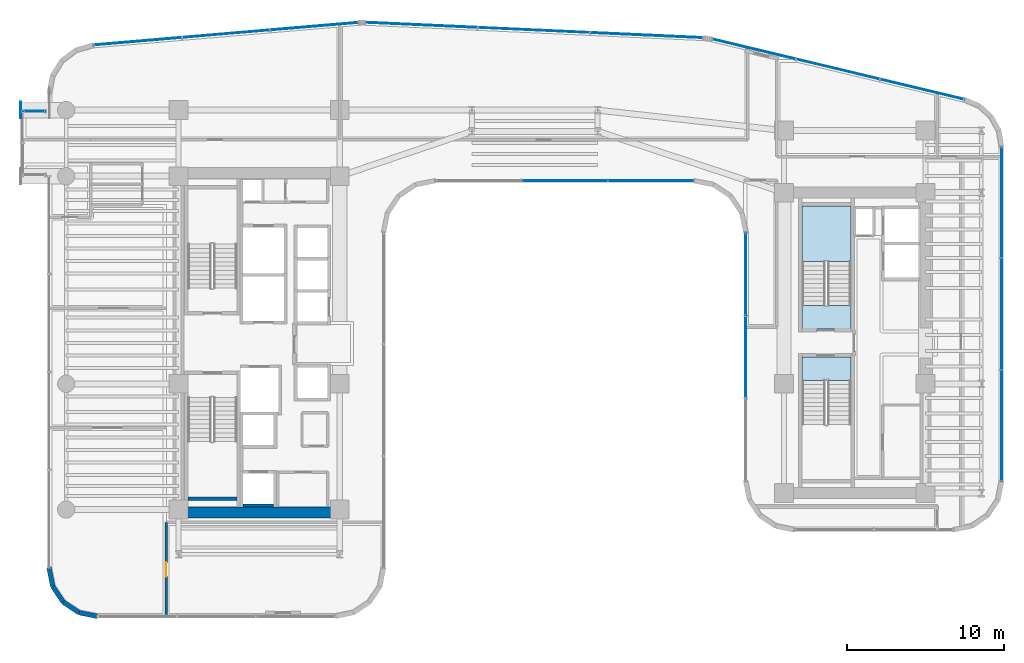
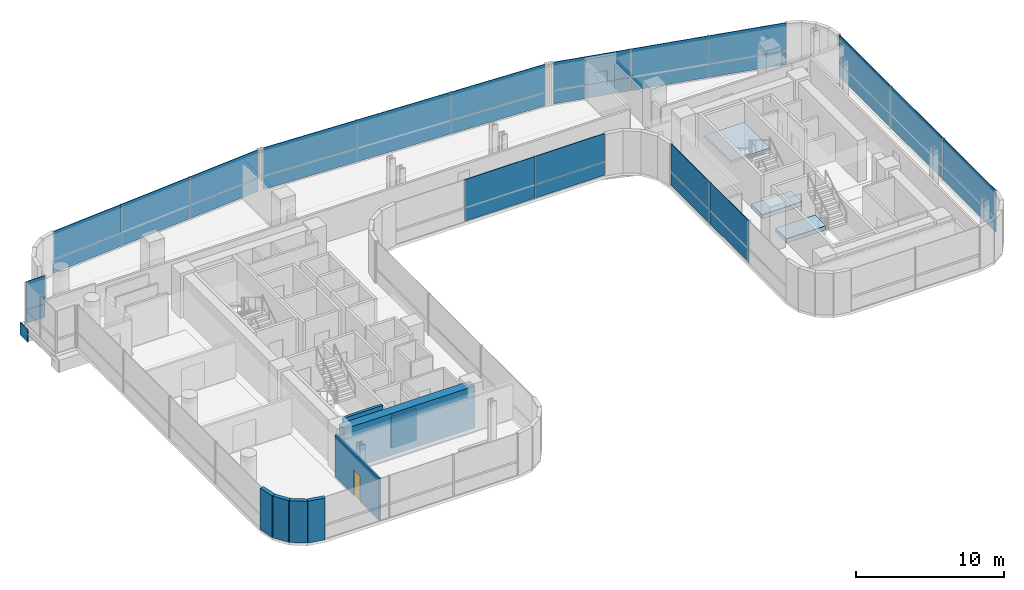
# One storey, part 26 of 34: 29 plates, 8 walls, 3 slabs, 1 door, 1 opening, 8 elements without a shape of their own.
"""IFC4 building model written with IfcOpenShell, lengths in metres."""

from ifc_helpers import new_model, si_unit, direction, frame, frame_2d, origin, origin_2d, place, context, subcontext, project, spatial, polyline, rectangle, outline, extrude, source, transform, mapped, material, layer, layer_set, type_object, element, fill, aggregate, save


model = new_model("IFC4")

# Units and contexts
model_context = context("Model", 3, precision=1e-05, world=origin(), true_north=direction((0.0, 1.0)))
body_context = subcontext(model_context, "Body", "Model", "MODEL_VIEW")
ifc_project = project(units=[si_unit("LENGTHUNIT", "METRE"), si_unit("AREAUNIT", "SQUARE_METRE"), si_unit("VOLUMEUNIT", "CUBIC_METRE"), si_unit("PLANEANGLEUNIT", "RADIAN"), si_unit("MASSUNIT", "GRAM", prefix="KILO")], contexts=[model_context])

# Site, building, storey
site_placement = place(None, origin())
site = spatial("IfcSite", under=ifc_project, at=site_placement, CompositionType="ELEMENT")
building_placement = place(site_placement, origin())
building = spatial("IfcBuilding", under=site, at=building_placement, Name="Valdorenza Pilgrim Sanctuary Tower", CompositionType="ELEMENT")
storey_placement = place(building_placement, frame((0.0, 0.0, 120.5)))
storey = spatial("IfcBuildingStorey", under=building, at=storey_placement, Name="L30", CompositionType="ELEMENT", Elevation=120.5)

# Stair, slab
ifc_material_1 = material(Name="Concrete C40/50", Category="concrete")
stair_type = type_object("IfcStairType", Name="STR-DOG-CORE", PredefinedType="HALF_TURN_STAIR", material=ifc_material_1)
stair_placement = place(storey_placement, origin())
stair = element("IfcStair", 1, at=stair_placement, inside=storey, type_object=stair_type, Name="L30 ST-B1", PredefinedType="HALF_TURN_STAIR")
ifc_layer_1 = layer(ifc_material_1, 0.199951171875, Name="Concrete C40/50")
ifc_layer_set_1 = layer_set([ifc_layer_1], Name="Concrete C40/50")
slab_type_1 = type_object("IfcSlabType", Name="SLAB-STL-200", PredefinedType="LANDING", material=ifc_layer_set_1)
slab_1_placement = place(storey_placement, frame((0.0, 0.0, 1.64990234375)))
slab_1 = element("IfcSlab", 2, at=slab_1_placement, type_object=slab_type_1, Name="ST-B1 landing 1", PredefinedType="LANDING", context=body_context, shape_type="SweptSolid", body=[
    extrude(outline(polyline([(20.110107421875, 5.179931640625), (20.110107421875, 8.699951171875), (17.0, 8.699951171875), (17.0, 5.179931640625), (20.110107421875, 5.179931640625)])), origin(), (0.0, 0.0, 1.0), 0.2001953125),
])
aggregate(stair, [slab_1])

# Slabs
ifc_material_2 = material(Name="Concrete C50/60", Category="concrete")
ifc_layer_2 = layer(ifc_material_2, 0.39990234375, Name="Concrete C50/60")
ifc_layer_set_2 = layer_set([ifc_layer_2], Name="Concrete C50/60")
slab_type_2 = type_object("IfcSlabType", Name="SLAB-TRF-400", PredefinedType="FLOOR", material=ifc_layer_set_2)
slab_2_placement = place(storey_placement, frame((0.0, 0.0, -0.360107421875)))
element("IfcSlab", 3, at=slab_2_placement, inside=storey, type_object=slab_type_2, Name="L30 ST-B1 Structural Stair Landing Bearing Slab", PredefinedType="FLOOR", context=body_context, shape_type="SweptSolid", body=[
    extrude(outline(polyline([(17.0, 0.89990234375), (20.110107421875, 0.89990234375), (20.110107421875, 2.385009765625), (17.0, 2.385009765625), (17.0, 0.89990234375)])), origin(), (0.0, 0.0, 1.0), 0.360107421875),
])
slab_3_placement = place(storey_placement, frame((0.0, 0.0, -0.360107421875)))
element("IfcSlab", 4, at=slab_3_placement, inside=storey, type_object=slab_type_2, Name="L30 ST-B2 Structural Stair Landing Bearing Slab", PredefinedType="FLOOR", context=body_context, shape_type="SweptSolid", body=[
    extrude(outline(polyline([(17.0, -2.385009765625), (20.110107421875, -2.385009765625), (20.110107421875, -0.89990234375), (17.0, -0.89990234375), (17.0, -2.385009765625)])), origin(), (0.0, 0.0, 1.0), 0.360107421875),
])

# Plate
ifc_material_3 = material(Name="Steel ASTM A572 Grade 42", Category="steel")
ifc_layer_3 = layer(ifc_material_3, 0.06005859375, Name="Steel ASTM A572 Grade 42")
ifc_layer_set_3 = layer_set([ifc_layer_3], Name="Steel ASTM A572 Grade 42")
plate_type_1 = type_object("IfcPlateType", Name="PLT-CAP-60", PredefinedType="SHEET", material=ifc_layer_set_3)
shared_shape_1 = source(origin(), body_context, "Body", "SweptSolid", [
    extrude(rectangle(XDim=0.06005859375, YDim=1.0400390625, at=origin_2d()), origin(), (0.0, 0.0, 1.0), 1.0400390625),
])
plate_1_placement = place(storey_placement, frame((-32.679931640625, 14.800048828125, -1.260009765625), z_axis=(0.0, 0.0, 1.0), x_axis=(1.0, 0.0, 0.0)))
element("IfcPlate", 5, at=plate_1_placement, inside=storey, type_object=plate_type_1, Name="L30 BOX-WA-L30 Cantilever Tip End Cap N", PredefinedType="SHEET", context=body_context, shape_type="MappedRepresentation", body=[
    mapped(shared_shape_1, transform((0.0, 0.0, 0.0), x_axis=(1.0, 0.0, 0.0), y_axis=(0.0, 1.0, 0.0), z_axis=(0.0, 0.0, 1.0), scale=1.0)),
])

# Curtain wall, plates
ifc_material_4 = material(Name="Curtain-wall IGU glazing", Category="glass")
curtain_wall_type_1 = type_object("IfcCurtainWallType", Name="CW-SYS-02", PredefinedType="NOTDEFINED", material=ifc_material_4)
curtain_wall_1_placement = place(storey_placement, origin())
curtain_wall_1 = element("IfcCurtainWall", 6, at=curtain_wall_1_placement, inside=storey, type_object=curtain_wall_type_1, Name="L30 Curtain Wall CW-L30-1-36", PredefinedType="NOTDEFINED")
ifc_material_5 = material(Name="Honed travertine limestone", Category="masonry")
ifc_layer_4 = layer(ifc_material_5, 0.050048828125, Name="Honed travertine limestone")
ifc_layer_set_4 = layer_set([ifc_layer_4], Name="Honed travertine limestone")
plate_type_2 = type_object("IfcPlateType", Name="CW-SPN-TRV", PredefinedType="USERDEFINED", material=ifc_layer_set_4)
shared_shape_2 = source(origin(), body_context, "Body", "SweptSolid", [
    extrude(rectangle(XDim=5.453857421875, YDim=0.06005859375, at=origin_2d()), origin(), (0.0, 0.0, 1.0), 1.10009765625),
])
plate_2_placement = place(storey_placement, frame((7.373779296875, 10.31005859375, 0.010009765625), z_axis=(0.0, 0.0, 1.0), x_axis=(-1.0, 0.0, 0.0)))
plate_2 = element("IfcPlate", 7, at=plate_2_placement, type_object=plate_type_2, Name="CW-L30-1-36 Travertine Spandrel 1", ObjectType="SPANDREL", PredefinedType="USERDEFINED", context=body_context, shape_type="MappedRepresentation", body=[
    mapped(shared_shape_2, transform((0.0, 0.0, 0.0), x_axis=(1.0, 0.0, 0.0), y_axis=(0.0, 1.0, 0.0), z_axis=(0.0, 0.0, 1.0), scale=1.0)),
])
ifc_material_6 = material(Name="Ceramic-fritted low-E IGU glazing", Category="glass")
ifc_layer_5 = layer(ifc_material_6, 0.035888671875, Name="Ceramic-fritted low-E IGU glazing")
ifc_layer_set_5 = layer_set([ifc_layer_5], Name="Ceramic-fritted low-E IGU glazing")
plate_type_3 = type_object("IfcPlateType", Name="CW-GLZ-IGU", PredefinedType="USERDEFINED", material=ifc_layer_set_5)
shared_shape_3 = source(origin(), body_context, "Body", "SweptSolid", [
    extrude(rectangle(XDim=5.453857421875, YDim=0.050048828125, at=origin_2d()), origin(), (0.0, 0.0, 1.0), 2.320068359375),
])
plate_3_placement = place(storey_placement, frame((7.373779296875, 10.31005859375, 1.1298828125), z_axis=(0.0, 0.0, 1.0), x_axis=(-1.0, 0.0, 0.0)))
plate_3 = element("IfcPlate", 8, at=plate_3_placement, type_object=plate_type_3, Name="CW-L30-1-36 Facade Panel 1", ObjectType="GLAZING", PredefinedType="USERDEFINED", context=body_context, shape_type="MappedRepresentation", body=[
    mapped(shared_shape_3, transform((0.0, 0.0, 0.0), x_axis=(1.0, 0.0, 0.0), y_axis=(0.0, 1.0, 0.0), z_axis=(0.0, 0.0, 1.0), scale=1.0)),
])
shared_shape_4 = source(origin(), body_context, "Body", "SweptSolid", [
    extrude(rectangle(XDim=5.453857421875, YDim=0.050048828125, at=origin_2d()), origin(), (0.0, 0.0, 1.0), 3.43994140625),
])
plate_4_placement = place(storey_placement, frame((1.89990234375, 10.31005859375, 0.010009765625), z_axis=(0.0, 0.0, 1.0), x_axis=(-1.0, 0.0, 0.0)))
plate_4 = element("IfcPlate", 9, at=plate_4_placement, type_object=plate_type_3, Name="CW-L30-1-36 Full-Height Facade Panel 2", ObjectType="GLAZING", PredefinedType="USERDEFINED", context=body_context, shape_type="MappedRepresentation", body=[
    mapped(shared_shape_4, transform((0.0, 0.0, 0.0), x_axis=(1.0, 0.0, 0.0), y_axis=(0.0, 1.0, 0.0), z_axis=(0.0, 0.0, 1.0), scale=1.0)),
])
aggregate(curtain_wall_1, [plate_2, plate_3, plate_4])

curtain_wall_2_placement = place(storey_placement, origin())
curtain_wall_2 = element("IfcCurtainWall", 10, at=curtain_wall_2_placement, inside=storey, type_object=curtain_wall_type_1, Name="L30 Curtain Wall CW-L30-BOX-WA-L30-N", PredefinedType="NOTDEFINED")
shared_shape_5 = source(origin(), body_context, "Body", "SweptSolid", [
    extrude(rectangle(XDim=1.43994140625, YDim=0.06005859375, at=origin_2d()), origin(), (0.0, 0.0, 1.0), 1.10009765625),
])
plate_5_placement = place(storey_placement, frame((-31.840087890625, 14.719970703125, 0.010009765625), z_axis=(0.0, 0.0, 1.0), x_axis=(1.0, 0.0, 0.0)))
plate_5 = element("IfcPlate", 11, at=plate_5_placement, type_object=plate_type_2, Name="CW-L30-BOX-WA-L30-N Travertine Spandrel 1", ObjectType="SPANDREL", PredefinedType="USERDEFINED", context=body_context, shape_type="MappedRepresentation", body=[
    mapped(shared_shape_5, transform((0.0, 0.0, 0.0), x_axis=(1.0, 0.0, 0.0), y_axis=(0.0, 1.0, 0.0), z_axis=(0.0, 0.0, 1.0), scale=1.0)),
])
shared_shape_6 = source(origin(), body_context, "Body", "SweptSolid", [
    extrude(rectangle(XDim=1.43994140625, YDim=0.050048828125, at=origin_2d()), origin(), (0.0, 0.0, 1.0), 2.320068359375),
])
plate_6_placement = place(storey_placement, frame((-31.840087890625, 14.719970703125, 1.1298828125), z_axis=(0.0, 0.0, 1.0), x_axis=(1.0, 0.0, 0.0)))
plate_6 = element("IfcPlate", 12, at=plate_6_placement, type_object=plate_type_3, Name="CW-L30-BOX-WA-L30-N Facade Panel 1", ObjectType="GLAZING", PredefinedType="USERDEFINED", context=body_context, shape_type="MappedRepresentation", body=[
    mapped(shared_shape_6, transform((0.0, 0.0, 0.0), x_axis=(1.0, 0.0, 0.0), y_axis=(0.0, 1.0, 0.0), z_axis=(0.0, 0.0, 1.0), scale=1.0)),
])
aggregate(curtain_wall_2, [plate_5, plate_6])

curtain_wall_3_placement = place(storey_placement, origin())
curtain_wall_3 = element("IfcCurtainWall", 13, at=curtain_wall_3_placement, inside=storey, type_object=curtain_wall_type_1, Name="L30 Curtain Wall CW-L30-1-6", PredefinedType="NOTDEFINED")
shared_shape_7 = source(origin(), body_context, "Body", "SweptSolid", [
    extrude(rectangle(XDim=5.61767578125, YDim=0.06005859375, at=origin_2d()), origin(), (0.0, 0.0, 1.0), 1.10009765625),
])
plate_7_placement = place(storey_placement, frame((-25.242919921875, 19.178955078125, 0.010009765625), z_axis=(0.0, 0.0, 1.0), x_axis=(0.99640764237, 0.084686541006, 0.0)))
plate_7 = element("IfcPlate", 14, at=plate_7_placement, type_object=plate_type_2, Name="CW-L30-1-6 Travertine Spandrel 1", ObjectType="SPANDREL", PredefinedType="USERDEFINED", context=body_context, shape_type="MappedRepresentation", body=[
    mapped(shared_shape_7, transform((0.0, 0.0, 0.0), x_axis=(1.0, 0.0, 0.0), y_axis=(0.0, 1.0, 0.0), z_axis=(0.0, 0.0, 1.0), scale=1.0)),
])
plate_8_placement = place(storey_placement, frame((-14.008056640625, 20.1337890625, 0.010009765625), z_axis=(0.0, 0.0, 1.0), x_axis=(0.99640764237, 0.084686541006, 0.0)))
plate_8 = element("IfcPlate", 15, at=plate_8_placement, type_object=plate_type_2, Name="CW-L30-1-6 Travertine Spandrel 3", ObjectType="SPANDREL", PredefinedType="USERDEFINED", context=body_context, shape_type="MappedRepresentation", body=[
    mapped(shared_shape_7, transform((0.0, 0.0, 0.0), x_axis=(1.0, 0.0, 0.0), y_axis=(0.0, 1.0, 0.0), z_axis=(0.0, 0.0, 1.0), scale=1.0)),
])

curtain_wall_4_placement = place(storey_placement, origin())
curtain_wall_4 = element("IfcCurtainWall", 16, at=curtain_wall_4_placement, inside=storey, type_object=curtain_wall_type_1, Name="L30 Curtain Wall CW-L30-1-11", PredefinedType="NOTDEFINED")
shared_shape_8 = source(origin(), body_context, "Body", "SweptSolid", [
    extrude(rectangle(XDim=7.1494140625, YDim=0.06005859375, at=origin_2d()), origin(), (0.0, 0.0, 1.0), 1.10009765625),
])
plate_9_placement = place(storey_placement, frame((-7.21484375, 20.2177734375, 0.010009765625), z_axis=(0.0, 0.0, 1.0), x_axis=(0.998968193221, -0.045415294044, 0.0)))
plate_9 = element("IfcPlate", 17, at=plate_9_placement, type_object=plate_type_2, Name="CW-L30-1-11 Travertine Spandrel 1", ObjectType="SPANDREL", PredefinedType="USERDEFINED", context=body_context, shape_type="MappedRepresentation", body=[
    mapped(shared_shape_8, transform((0.0, 0.0, 0.0), x_axis=(1.0, 0.0, 0.0), y_axis=(0.0, 1.0, 0.0), z_axis=(0.0, 0.0, 1.0), scale=1.0)),
])
plate_10_placement = place(storey_placement, frame((7.10888671875, 19.56689453125, 0.010009765625), z_axis=(0.0, 0.0, 1.0), x_axis=(0.998968193221, -0.045415294044, 0.0)))
plate_10 = element("IfcPlate", 18, at=plate_10_placement, type_object=plate_type_2, Name="CW-L30-1-11 Travertine Spandrel 3", ObjectType="SPANDREL", PredefinedType="USERDEFINED", context=body_context, shape_type="MappedRepresentation", body=[
    mapped(shared_shape_8, transform((0.0, 0.0, 0.0), x_axis=(1.0, 0.0, 0.0), y_axis=(0.0, 1.0, 0.0), z_axis=(0.0, 0.0, 1.0), scale=1.0)),
])

curtain_wall_type_2 = type_object("IfcCurtainWallType", Name="CW-SYS-03", PredefinedType="NOTDEFINED", material=ifc_material_4)
curtain_wall_5_placement = place(storey_placement, origin())
curtain_wall_5 = element("IfcCurtainWall", 19, at=curtain_wall_5_placement, inside=storey, type_object=curtain_wall_type_2, Name="L30 Curtain Wall CW-L30-1-16", PredefinedType="NOTDEFINED")
shared_shape_9 = source(origin(), body_context, "Body", "SweptSolid", [
    extrude(rectangle(XDim=5.477294921875, YDim=0.06005859375, at=origin_2d()), origin(), (0.0, 0.0, 1.0), 1.10009765625),
])
plate_11_placement = place(storey_placement, frame((13.944580078125, 18.68212890625, 0.010009765625), z_axis=(0.0, 0.0, 1.0), x_axis=(0.972528596343, -0.232783438617, 0.0)))
plate_11 = element("IfcPlate", 20, at=plate_11_placement, type_object=plate_type_2, Name="CW-L30-1-16 Travertine Spandrel 1", ObjectType="SPANDREL", PredefinedType="USERDEFINED", context=body_context, shape_type="MappedRepresentation", body=[
    mapped(shared_shape_9, transform((0.0, 0.0, 0.0), x_axis=(1.0, 0.0, 0.0), y_axis=(0.0, 1.0, 0.0), z_axis=(0.0, 0.0, 1.0), scale=1.0)),
])
plate_12_placement = place(storey_placement, frame((24.63720703125, 16.122802734375, 0.010009765625), z_axis=(0.0, 0.0, 1.0), x_axis=(0.972528596343, -0.232783438617, 0.0)))
plate_12 = element("IfcPlate", 21, at=plate_12_placement, type_object=plate_type_2, Name="CW-L30-1-16 Travertine Spandrel 3", ObjectType="SPANDREL", PredefinedType="USERDEFINED", context=body_context, shape_type="MappedRepresentation", body=[
    mapped(shared_shape_9, transform((0.0, 0.0, 0.0), x_axis=(1.0, 0.0, 0.0), y_axis=(0.0, 1.0, 0.0), z_axis=(0.0, 0.0, 1.0), scale=1.0)),
])

curtain_wall_6_placement = place(storey_placement, origin())
curtain_wall_6 = element("IfcCurtainWall", 22, at=curtain_wall_6_placement, inside=storey, type_object=curtain_wall_type_2, Name="L30 Curtain Wall CW-L30-1-21", PredefinedType="NOTDEFINED")
shared_shape_10 = source(origin(), body_context, "Body", "SweptSolid", [
    extrude(rectangle(XDim=7.065185546875, YDim=0.06005859375, at=origin_2d()), origin(), (0.0, 0.0, 1.0), 1.10009765625),
])
plate_13_placement = place(storey_placement, frame((29.68994140625, 8.923828125, 0.010009765625), z_axis=(0.0, 0.0, 1.0), x_axis=(0.0, -1.0, 0.0)))
plate_13 = element("IfcPlate", 23, at=plate_13_placement, type_object=plate_type_2, Name="CW-L30-1-21 Travertine Spandrel 1", ObjectType="SPANDREL", PredefinedType="USERDEFINED", context=body_context, shape_type="MappedRepresentation", body=[
    mapped(shared_shape_10, transform((0.0, 0.0, 0.0), x_axis=(1.0, 0.0, 0.0), y_axis=(0.0, 1.0, 0.0), z_axis=(0.0, 0.0, 1.0), scale=1.0)),
])
plate_14_placement = place(storey_placement, frame((29.68994140625, -5.24658203125, 0.010009765625), z_axis=(0.0, 0.0, 1.0), x_axis=(0.0, -1.0, 0.0)))
plate_14 = element("IfcPlate", 24, at=plate_14_placement, type_object=plate_type_2, Name="CW-L30-1-21 Travertine Spandrel 3", ObjectType="SPANDREL", PredefinedType="USERDEFINED", context=body_context, shape_type="MappedRepresentation", body=[
    mapped(shared_shape_10, transform((0.0, 0.0, 0.0), x_axis=(1.0, 0.0, 0.0), y_axis=(0.0, 1.0, 0.0), z_axis=(0.0, 0.0, 1.0), scale=1.0)),
])

# Curtain wall, plate
curtain_wall_7_placement = place(storey_placement, origin())
curtain_wall_7 = element("IfcCurtainWall", 25, at=curtain_wall_7_placement, inside=storey, type_object=curtain_wall_type_2, Name="L30 Curtain Wall CW-L30-1-31", PredefinedType="NOTDEFINED")
shared_shape_11 = source(origin(), body_context, "Body", "SweptSolid", [
    extrude(rectangle(XDim=5.24658203125, YDim=0.06005859375, at=origin_2d()), origin(), (0.0, 0.0, 1.0), 1.10009765625),
])
plate_15_placement = place(storey_placement, frame((13.409912109375, 4.37744140625, 0.010009765625), z_axis=(0.0, 0.0, 1.0), x_axis=(0.0, 1.0, 0.0)))
plate_15 = element("IfcPlate", 26, at=plate_15_placement, type_object=plate_type_2, Name="CW-L30-1-31 Travertine Spandrel 3", ObjectType="SPANDREL", PredefinedType="USERDEFINED", context=body_context, shape_type="MappedRepresentation", body=[
    mapped(shared_shape_11, transform((0.0, 0.0, 0.0), x_axis=(1.0, 0.0, 0.0), y_axis=(0.0, 1.0, 0.0), z_axis=(0.0, 0.0, 1.0), scale=1.0)),
])

# Plate
shared_shape_12 = source(origin(), body_context, "Body", "SweptSolid", [
    extrude(rectangle(XDim=5.61767578125, YDim=0.050048828125, at=origin_2d()), origin(), (0.0, 0.0, 1.0), 3.43994140625),
])
plate_16_placement = place(storey_placement, frame((-19.62548828125, 19.656494140625, 0.010009765625), z_axis=(0.0, 0.0, 1.0), x_axis=(0.99640764237, 0.084686541006, 0.0)))
plate_16 = element("IfcPlate", 27, at=plate_16_placement, type_object=plate_type_3, Name="CW-L30-1-6 Full-Height Facade Panel 2", ObjectType="GLAZING", PredefinedType="USERDEFINED", context=body_context, shape_type="MappedRepresentation", body=[
    mapped(shared_shape_12, transform((0.0, 0.0, 0.0), x_axis=(1.0, 0.0, 0.0), y_axis=(0.0, 1.0, 0.0), z_axis=(0.0, 0.0, 1.0), scale=1.0)),
])

shared_shape_13 = source(origin(), body_context, "Body", "SweptSolid", [
    extrude(rectangle(XDim=5.61767578125, YDim=0.050048828125, at=origin_2d()), origin(), (0.0, 0.0, 1.0), 2.320068359375),
])
plate_17_placement = place(storey_placement, frame((-25.242919921875, 19.178955078125, 1.1298828125), z_axis=(0.0, 0.0, 1.0), x_axis=(0.99640764237, 0.084686541006, 0.0)))
plate_17 = element("IfcPlate", 28, at=plate_17_placement, type_object=plate_type_3, Name="CW-L30-1-6 Facade Panel 1", ObjectType="GLAZING", PredefinedType="USERDEFINED", context=body_context, shape_type="MappedRepresentation", body=[
    mapped(shared_shape_13, transform((0.0, 0.0, 0.0), x_axis=(1.0, 0.0, 0.0), y_axis=(0.0, 1.0, 0.0), z_axis=(0.0, 0.0, 1.0), scale=1.0)),
])

plate_18_placement = place(storey_placement, frame((-14.008056640625, 20.1337890625, 1.1298828125), z_axis=(0.0, 0.0, 1.0), x_axis=(0.99640764237, 0.084686541006, 0.0)))
plate_18 = element("IfcPlate", 29, at=plate_18_placement, type_object=plate_type_3, Name="CW-L30-1-6 Facade Panel 3", ObjectType="GLAZING", PredefinedType="USERDEFINED", context=body_context, shape_type="MappedRepresentation", body=[
    mapped(shared_shape_13, transform((0.0, 0.0, 0.0), x_axis=(1.0, 0.0, 0.0), y_axis=(0.0, 1.0, 0.0), z_axis=(0.0, 0.0, 1.0), scale=1.0)),
])

aggregate(curtain_wall_3, [plate_7, plate_17, plate_16, plate_8, plate_18])

shared_shape_14 = source(origin(), body_context, "Body", "SweptSolid", [
    extrude(rectangle(XDim=7.1494140625, YDim=0.050048828125, at=origin_2d()), origin(), (0.0, 0.0, 1.0), 3.43994140625),
])
plate_19_placement = place(storey_placement, frame((-0.052978515625, 19.892333984375, 0.010009765625), z_axis=(0.0, 0.0, 1.0), x_axis=(0.998968193221, -0.045415294044, 0.0)))
plate_19 = element("IfcPlate", 30, at=plate_19_placement, type_object=plate_type_3, Name="CW-L30-1-11 Full-Height Facade Panel 2", ObjectType="GLAZING", PredefinedType="USERDEFINED", context=body_context, shape_type="MappedRepresentation", body=[
    mapped(shared_shape_14, transform((0.0, 0.0, 0.0), x_axis=(1.0, 0.0, 0.0), y_axis=(0.0, 1.0, 0.0), z_axis=(0.0, 0.0, 1.0), scale=1.0)),
])

shared_shape_15 = source(origin(), body_context, "Body", "SweptSolid", [
    extrude(rectangle(XDim=7.1494140625, YDim=0.050048828125, at=origin_2d()), origin(), (0.0, 0.0, 1.0), 2.320068359375),
])
plate_20_placement = place(storey_placement, frame((-7.21484375, 20.2177734375, 1.1298828125), z_axis=(0.0, 0.0, 1.0), x_axis=(0.998968193221, -0.045415294044, 0.0)))
plate_20 = element("IfcPlate", 31, at=plate_20_placement, type_object=plate_type_3, Name="CW-L30-1-11 Facade Panel 1", ObjectType="GLAZING", PredefinedType="USERDEFINED", context=body_context, shape_type="MappedRepresentation", body=[
    mapped(shared_shape_15, transform((0.0, 0.0, 0.0), x_axis=(1.0, 0.0, 0.0), y_axis=(0.0, 1.0, 0.0), z_axis=(0.0, 0.0, 1.0), scale=1.0)),
])

plate_21_placement = place(storey_placement, frame((7.10888671875, 19.56689453125, 1.1298828125), z_axis=(0.0, 0.0, 1.0), x_axis=(0.998968193221, -0.045415294044, 0.0)))
plate_21 = element("IfcPlate", 32, at=plate_21_placement, type_object=plate_type_3, Name="CW-L30-1-11 Facade Panel 3", ObjectType="GLAZING", PredefinedType="USERDEFINED", context=body_context, shape_type="MappedRepresentation", body=[
    mapped(shared_shape_15, transform((0.0, 0.0, 0.0), x_axis=(1.0, 0.0, 0.0), y_axis=(0.0, 1.0, 0.0), z_axis=(0.0, 0.0, 1.0), scale=1.0)),
])

aggregate(curtain_wall_4, [plate_9, plate_20, plate_19, plate_10, plate_21])

shared_shape_16 = source(origin(), body_context, "Body", "SweptSolid", [
    extrude(rectangle(XDim=5.477294921875, YDim=0.050048828125, at=origin_2d()), origin(), (0.0, 0.0, 1.0), 3.43994140625),
])
plate_22_placement = place(storey_placement, frame((19.291015625, 17.40234375, 0.010009765625), z_axis=(0.0, 0.0, 1.0), x_axis=(0.972528596343, -0.232783438617, 0.0)))
plate_22 = element("IfcPlate", 33, at=plate_22_placement, type_object=plate_type_3, Name="CW-L30-1-16 Full-Height Facade Panel 2", ObjectType="GLAZING", PredefinedType="USERDEFINED", context=body_context, shape_type="MappedRepresentation", body=[
    mapped(shared_shape_16, transform((0.0, 0.0, 0.0), x_axis=(1.0, 0.0, 0.0), y_axis=(0.0, 1.0, 0.0), z_axis=(0.0, 0.0, 1.0), scale=1.0)),
])

shared_shape_17 = source(origin(), body_context, "Body", "SweptSolid", [
    extrude(rectangle(XDim=5.477294921875, YDim=0.050048828125, at=origin_2d()), origin(), (0.0, 0.0, 1.0), 2.320068359375),
])
plate_23_placement = place(storey_placement, frame((13.944580078125, 18.68212890625, 1.1298828125), z_axis=(0.0, 0.0, 1.0), x_axis=(0.972528596343, -0.232783438617, 0.0)))
plate_23 = element("IfcPlate", 34, at=plate_23_placement, type_object=plate_type_3, Name="CW-L30-1-16 Facade Panel 1", ObjectType="GLAZING", PredefinedType="USERDEFINED", context=body_context, shape_type="MappedRepresentation", body=[
    mapped(shared_shape_17, transform((0.0, 0.0, 0.0), x_axis=(1.0, 0.0, 0.0), y_axis=(0.0, 1.0, 0.0), z_axis=(0.0, 0.0, 1.0), scale=1.0)),
])

plate_24_placement = place(storey_placement, frame((24.63720703125, 16.122802734375, 1.1298828125), z_axis=(0.0, 0.0, 1.0), x_axis=(0.972528596343, -0.232783438617, 0.0)))
plate_24 = element("IfcPlate", 35, at=plate_24_placement, type_object=plate_type_3, Name="CW-L30-1-16 Facade Panel 3", ObjectType="GLAZING", PredefinedType="USERDEFINED", context=body_context, shape_type="MappedRepresentation", body=[
    mapped(shared_shape_17, transform((0.0, 0.0, 0.0), x_axis=(1.0, 0.0, 0.0), y_axis=(0.0, 1.0, 0.0), z_axis=(0.0, 0.0, 1.0), scale=1.0)),
])

aggregate(curtain_wall_5, [plate_11, plate_23, plate_22, plate_12, plate_24])

shared_shape_18 = source(origin(), body_context, "Body", "SweptSolid", [
    extrude(rectangle(XDim=7.065185546875, YDim=0.050048828125, at=origin_2d()), origin(), (0.0, 0.0, 1.0), 2.320068359375),
])
plate_25_placement = place(storey_placement, frame((29.68994140625, 8.923828125, 1.1298828125), z_axis=(0.0, 0.0, 1.0), x_axis=(0.0, -1.0, 0.0)))
plate_25 = element("IfcPlate", 36, at=plate_25_placement, type_object=plate_type_3, Name="CW-L30-1-21 Facade Panel 1", ObjectType="GLAZING", PredefinedType="USERDEFINED", context=body_context, shape_type="MappedRepresentation", body=[
    mapped(shared_shape_18, transform((0.0, 0.0, 0.0), x_axis=(1.0, 0.0, 0.0), y_axis=(0.0, 1.0, 0.0), z_axis=(0.0, 0.0, 1.0), scale=1.0)),
])

plate_26_placement = place(storey_placement, frame((29.68994140625, -5.24658203125, 1.1298828125), z_axis=(0.0, 0.0, 1.0), x_axis=(0.0, -1.0, 0.0)))
plate_26 = element("IfcPlate", 37, at=plate_26_placement, type_object=plate_type_3, Name="CW-L30-1-21 Facade Panel 3", ObjectType="GLAZING", PredefinedType="USERDEFINED", context=body_context, shape_type="MappedRepresentation", body=[
    mapped(shared_shape_18, transform((0.0, 0.0, 0.0), x_axis=(1.0, 0.0, 0.0), y_axis=(0.0, 1.0, 0.0), z_axis=(0.0, 0.0, 1.0), scale=1.0)),
])

shared_shape_19 = source(origin(), body_context, "Body", "SweptSolid", [
    extrude(rectangle(XDim=7.065185546875, YDim=0.050048828125, at=origin_2d()), origin(), (0.0, 0.0, 1.0), 3.43994140625),
])
plate_27_placement = place(storey_placement, frame((29.68994140625, 1.838623046875, 0.010009765625), z_axis=(0.0, 0.0, 1.0), x_axis=(0.0, -1.0, 0.0)))
plate_27 = element("IfcPlate", 38, at=plate_27_placement, type_object=plate_type_3, Name="CW-L30-1-21 Full-Height Facade Panel 2", ObjectType="GLAZING", PredefinedType="USERDEFINED", context=body_context, shape_type="MappedRepresentation", body=[
    mapped(shared_shape_19, transform((0.0, 0.0, 0.0), x_axis=(1.0, 0.0, 0.0), y_axis=(0.0, 1.0, 0.0), z_axis=(0.0, 0.0, 1.0), scale=1.0)),
])

aggregate(curtain_wall_6, [plate_13, plate_25, plate_27, plate_14, plate_26])

shared_shape_20 = source(origin(), body_context, "Body", "SweptSolid", [
    extrude(rectangle(XDim=5.24658203125, YDim=0.050048828125, at=origin_2d()), origin(), (0.0, 0.0, 1.0), 2.320068359375),
])
plate_28_placement = place(storey_placement, frame((13.409912109375, 4.37744140625, 1.1298828125), z_axis=(0.0, 0.0, 1.0), x_axis=(0.0, 1.0, 0.0)))
plate_28 = element("IfcPlate", 39, at=plate_28_placement, type_object=plate_type_3, Name="CW-L30-1-31 Facade Panel 3", ObjectType="GLAZING", PredefinedType="USERDEFINED", context=body_context, shape_type="MappedRepresentation", body=[
    mapped(shared_shape_20, transform((0.0, 0.0, 0.0), x_axis=(1.0, 0.0, 0.0), y_axis=(0.0, 1.0, 0.0), z_axis=(0.0, 0.0, 1.0), scale=1.0)),
])

shared_shape_21 = source(origin(), body_context, "Body", "SweptSolid", [
    extrude(rectangle(XDim=5.24658203125, YDim=0.050048828125, at=origin_2d()), origin(), (0.0, 0.0, 1.0), 3.43994140625),
])
plate_29_placement = place(storey_placement, frame((13.409912109375, -0.88916015625, 0.010009765625), z_axis=(0.0, 0.0, 1.0), x_axis=(0.0, 1.0, 0.0)))
plate_29 = element("IfcPlate", 40, at=plate_29_placement, type_object=plate_type_3, Name="CW-L30-1-31 Full-Height Facade Panel 2", ObjectType="GLAZING", PredefinedType="USERDEFINED", context=body_context, shape_type="MappedRepresentation", body=[
    mapped(shared_shape_21, transform((0.0, 0.0, 0.0), x_axis=(1.0, 0.0, 0.0), y_axis=(0.0, 1.0, 0.0), z_axis=(0.0, 0.0, 1.0), scale=1.0)),
])

aggregate(curtain_wall_7, [plate_29, plate_15, plate_28])

# Wall, opening, door
ifc_material_7 = material(Name="Acoustic twin-stud gypsum partition", Category="gypsum")
ifc_layer_6 = layer(ifc_material_7, 0.159912109375, Name="Acoustic twin-stud gypsum partition")
ifc_layer_set_6 = layer_set([ifc_layer_6], Name="Acoustic twin-stud gypsum partition")
wall_type_1 = type_object("IfcWallType", Name="WAL-COR-160", PredefinedType="PARTITIONING", material=ifc_layer_set_6)
wall_1_placement = place(storey_placement, frame((-23.449951171875, -17.389892578125, 0.0), z_axis=(0.0, 0.0, 1.0), x_axis=(0.0, 1.0, 0.0)))
wall_1 = element("IfcWall", 41, at=wall_1_placement, inside=storey, type_object=wall_type_1, Name="L30 South-East Pocket West Wall", PredefinedType="PARTITIONING", context=body_context, shape_type="SweptSolid", body=[
    extrude(rectangle(XDim=5.969970703125, YDim=0.159912109375, at=frame_2d((2.98486328125, 0.0))), origin(), (0.0, 0.0, 1.0), 3.4599609375),
])
opening_placement = place(wall_1_placement, frame((2.534912109375, 0.0, 0.0)))
opening = element("IfcOpeningElement", 42, at=opening_placement, cuts=wall_1, Name="Opening DR-RM1", PredefinedType="OPENING", context=body_context, shape_type="SweptSolid", body=[
    extrude(rectangle(XDim=0.89990234375, YDim=2.10009765625, at=frame_2d((0.449951171875, 1.050048828125))), frame((0.0, 0.0947265625, 0.0), z_axis=(0.0, -1.0, 0.0), x_axis=(1.0, 0.0, 0.0)), (0.0, 0.0, 1.0), 0.189697265625),
])
ifc_material_8 = material(Name="Solid-core European oak timber", Category="wood")
door_type = type_object("IfcDoorType", Name="DR-ROOM-900", OperationType="NOTDEFINED", PredefinedType="DOOR", material=ifc_material_8)
door_placement = place(opening_placement, origin())
door = element("IfcDoor", 43, at=door_placement, inside=storey, type_object=door_type, Name="L30 Sacred Archive Reading Library L30-S Door", OperationType="SINGLE_SWING_RIGHT", OverallHeight=2.10009765625, OverallWidth=0.89990234375, PredefinedType="DOOR", context=body_context, shape_type="SweptSolid", body=[
    extrude(rectangle(XDim=0.89990234375, YDim=2.10009765625, at=frame_2d((0.449951171875, 1.050048828125))), frame((0.0, 0.02490234375, 0.0), z_axis=(0.0, -1.0, 0.0), x_axis=(1.0, 0.0, 0.0)), (0.0, 0.0, 1.0), 0.050048828125),
])
fill(opening, door)

# Walls
ifc_material_9 = material(Name="Concrete C60/75", Category="concrete")
ifc_layer_7 = layer(ifc_material_9, 0.699951171875, Name="Concrete C60/75")
ifc_layer_set_7 = layer_set([ifc_layer_7], Name="Concrete C60/75")
wall_type_2 = type_object("IfcWallType", Name="WAL-COR-700", PredefinedType="SHEAR", material=ifc_layer_set_7)
wall_2_placement = place(storey_placement, frame((-22.64990234375, -10.800048828125, 0.0), z_axis=(0.0, 0.0, 1.0), x_axis=(1.0, 0.0, 0.0)))
element("IfcWall", 44, at=wall_2_placement, inside=storey, type_object=wall_type_2, Name="L30 Split Core A Shear Wall S", PredefinedType="SHEAR", context=body_context, shape_type="SweptSolid", body=[
    extrude(rectangle(XDim=10.25, YDim=0.699951171875, at=frame_2d((5.125, 0.0))), origin(), (0.0, 0.0, 1.0), 3.4599609375),
])
ifc_layer_8 = layer(ifc_material_5, 0.300048828125, Name="Honed travertine limestone")
ifc_layer_set_8 = layer_set([ifc_layer_8], Name="Honed travertine limestone")
wall_type_3 = type_object("IfcWallType", Name="WAL-EXT-300", PredefinedType="SOLIDWALL", material=ifc_layer_set_8)
wall_3_placement = place(storey_placement, frame((-27.789306640625, -17.389892578125, 0.0), z_axis=(0.0, 0.0, 1.0), x_axis=(-0.980804027463, 0.194996050505, 0.0)))
element("IfcWall", 45, at=wall_3_placement, inside=storey, type_object=wall_type_3, Name="L30 Rounded Wind-Corner Stone Pier 47", PredefinedType="SOLIDWALL", context=body_context, shape_type="SweptSolid", body=[
    extrude(rectangle(XDim=1.2158203125, YDim=0.300048828125, at=frame_2d((0.60791015625, 0.0))), origin(), (0.0, 0.0, 1.0), 3.4599609375),
])
for number, where, z_axis, x_axis, name in (
    (46, (-28.981689453125, -17.15283203125, 0.0), (0.0, 0.0, 1.0), (-0.831426265255, 0.555635100982, 0.0), "L30 Rounded Wind-Corner Stone Pier 48"),
    (47, (-29.9833984375, -16.4833984375, 0.0), (0.0, 0.0, 1.0), (-0.555635100982, 0.831426265255, 0.0), "L30 Rounded Wind-Corner Stone Pier 49"),
):
    element("IfcWall", number, at=place(storey_placement, frame(where, z_axis=z_axis, x_axis=x_axis)), inside=storey, type_object=wall_type_3, Name=name, PredefinedType="SOLIDWALL", context=body_context, shape_type="SweptSolid", body=[
        extrude(rectangle(XDim=1.204833984375, YDim=0.300048828125, at=frame_2d((0.6025390625, 0.0))), origin(), (0.0, 0.0, 1.0), 3.4599609375),
    ])
wall_4_placement = place(storey_placement, frame((-30.65283203125, -15.481689453125, 0.0), z_axis=(0.0, 0.0, 1.0), x_axis=(-0.194996050505, 0.980804027463, 0.0)))
element("IfcWall", 48, at=wall_4_placement, inside=storey, type_object=wall_type_3, Name="L30 Rounded Wind-Corner Stone Pier 50", PredefinedType="SOLIDWALL", context=body_context, shape_type="SweptSolid", body=[
    extrude(rectangle(XDim=1.2158203125, YDim=0.300048828125, at=frame_2d((0.60791015625, 0.0))), origin(), (0.0, 0.0, 1.0), 3.4599609375),
])
ifc_material_10 = material(Name="Autoclaved aerated concrete blockwork", Category="masonry")
ifc_layer_9 = layer(ifc_material_10, 0.199951171875, Name="Autoclaved aerated concrete blockwork")
ifc_layer_set_9 = layer_set([ifc_layer_9], Name="Autoclaved aerated concrete blockwork")
wall_type_4 = type_object("IfcWallType", Name="WAL-SHF-200", PredefinedType="MOVABLE", material=ifc_layer_set_9)
wall_5_placement = place(storey_placement, frame((-18.550048828125, -10.35009765625, 0.0), z_axis=(0.0, 0.0, 1.0), x_axis=(1.0, 0.0, 0.0)))
element("IfcWall", 49, at=wall_5_placement, inside=storey, type_object=wall_type_4, Name="L30 Lift PL-05 Hoistway Wall South", PredefinedType="MOVABLE", context=body_context, shape_type="SweptSolid", body=[
    extrude(rectangle(XDim=1.949951171875, YDim=0.199951171875, at=frame_2d((0.97509765625, 0.0))), origin(), (0.0, 0.0, 1.0), 2.666015625),
])
ifc_layer_10 = layer(ifc_material_1, 0.219970703125, Name="Concrete C40/50")
ifc_layer_set_10 = layer_set([ifc_layer_10], Name="Concrete C40/50")
wall_type_5 = type_object("IfcWallType", Name="WAL-STR-SHF-220", PredefinedType="SHEAR", material=ifc_layer_set_10)
wall_6_placement = place(storey_placement, frame((-22.050048828125, -9.909912109375, 0.0), z_axis=(0.0, 0.0, 1.0), x_axis=(1.0, 0.0, 0.0)))
element("IfcWall", 50, at=wall_6_placement, inside=storey, type_object=wall_type_5, Name="L30 ST-A2 Structural Stairwell Wall S", PredefinedType="SHEAR", context=body_context, shape_type="SweptSolid", body=[
    extrude(rectangle(XDim=3.110107421875, YDim=0.219970703125, at=frame_2d((1.55517578125, 0.0))), origin(), (0.0, 0.0, 1.0), 3.4599609375),
])

save(model, "model.ifc")
